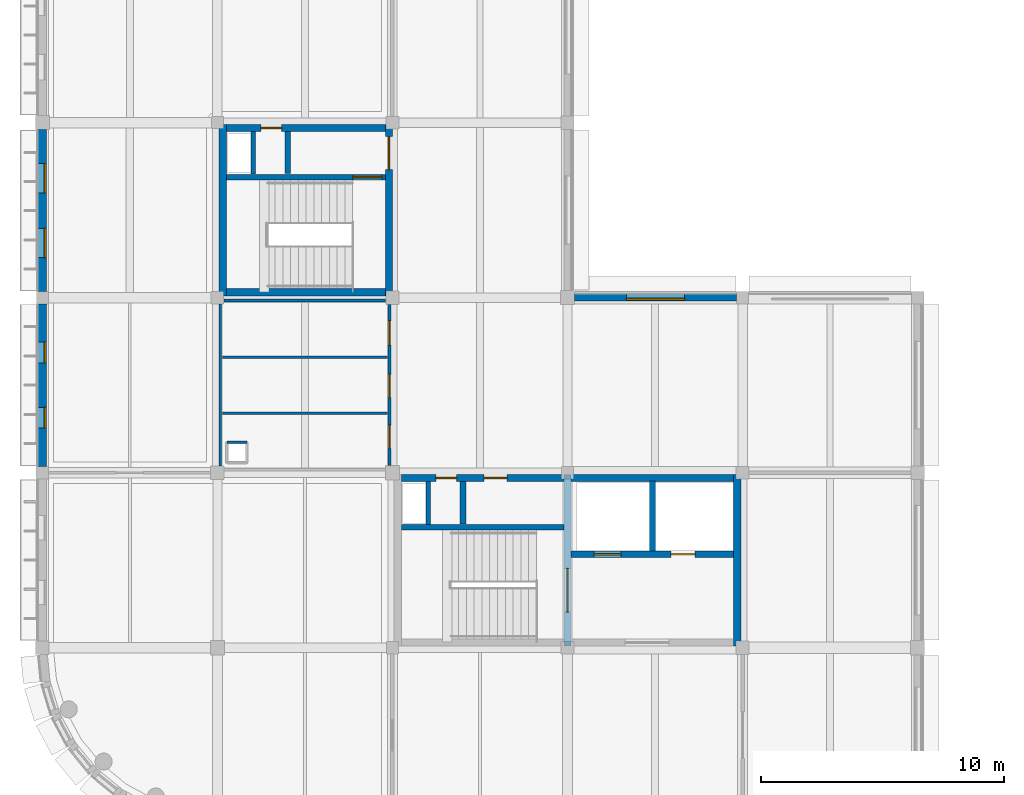
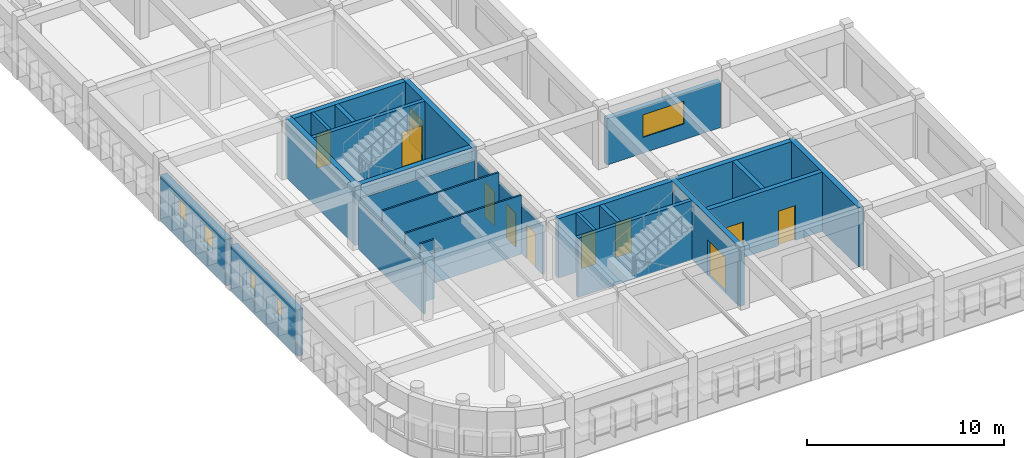
# One storey, part 13 of 19: 25 walls, 11 doors, 5 windows, 16 openings.
"""IFC4 building model written with IfcOpenShell, lengths in metres."""

from ifc_helpers import new_model, si_unit, direction, frame, frame_2d, origin, place, context, subcontext, project, spatial, rectangle, extrude, material, layer, layer_set, type_object, element, fill, save


model = new_model("IFC4")

# Units and contexts
model_context = context("Model", 3, precision=1e-05, world=origin(), true_north=direction((0.0, 1.0)))
body_context = subcontext(model_context, "Body", "Model", "MODEL_VIEW")
ifc_project = project(units=[si_unit("LENGTHUNIT", "METRE"), si_unit("AREAUNIT", "SQUARE_METRE"), si_unit("VOLUMEUNIT", "CUBIC_METRE"), si_unit("PLANEANGLEUNIT", "RADIAN"), si_unit("MASSUNIT", "GRAM", prefix="KILO")], contexts=[model_context])

# Site, building, storey
site_placement = place(None, origin())
site = spatial("IfcSite", under=ifc_project, at=site_placement, CompositionType="ELEMENT")
building_placement = place(site_placement, origin())
building = spatial("IfcBuilding", under=site, at=building_placement, Name="Thalmaran Polytechnic", CompositionType="ELEMENT")
storey_placement = place(building_placement, frame((0.0, 0.0, 26.699951171875)))
storey = spatial("IfcBuildingStorey", under=building, at=storey_placement, Name="L06", CompositionType="ELEMENT", Elevation=26.699951171875)

# Wall, openings, windows
ifc_material_1 = material(Name="Precast concrete C40/50", Category="concrete")
ifc_layer_1 = layer(ifc_material_1, 0.360107421875, Name="Precast concrete C40/50")
ifc_layer_set_1 = layer_set([ifc_layer_1], Name="Precast concrete C40/50")
wall_type_1 = type_object("IfcWallType", Name="WL-EW01", PredefinedType="STANDARD", material=ifc_layer_set_1)
wall_1_placement = place(storey_placement, frame((0.0, 14.659912109375, 0.0), z_axis=(0.0, 0.0, 1.0), x_axis=(0.0, 1.0, 0.0)))
wall_1 = element("IfcWall", 1, at=wall_1_placement, inside=storey, type_object=wall_type_1, Name="Exterior Precast Facade Wall L06-006", PredefinedType="STANDARD", context=body_context, shape_type="SweptSolid", body=[
    extrude(rectangle(XDim=6.690185546875, YDim=0.360107421875, at=frame_2d((3.34521484375, 0.0))), origin(), (0.0, 0.0, 1.0), 2.864990234375),
])
opening_1_placement = place(wall_1_placement, frame((1.58203125, 0.0, 1.14990234375)))
opening_1 = element("IfcOpeningElement", 2, at=opening_1_placement, cuts=wall_1, Name="Opening VW14", PredefinedType="OPENING", context=body_context, shape_type="SweptSolid", body=[
    extrude(rectangle(XDim=0.85009765625, YDim=1.25, at=frame_2d((0.425048828125, 0.625))), frame((0.0, 0.18994140625, 0.0), z_axis=(0.0, -1.0, 0.0), x_axis=(1.0, 0.0, 0.0)), (0.0, 0.0, 1.0), 0.380126953125),
])
opening_2_placement = place(wall_1_placement, frame((4.258056640625, 0.0, 1.14990234375)))
opening_2 = element("IfcOpeningElement", 3, at=opening_2_placement, cuts=wall_1, Name="Opening VW14", PredefinedType="OPENING", context=body_context, shape_type="SweptSolid", body=[
    extrude(rectangle(XDim=0.85009765625, YDim=1.25, at=frame_2d((0.425048828125, 0.625))), frame((0.0, 0.18994140625, 0.0), z_axis=(0.0, -1.0, 0.0), x_axis=(1.0, 0.0, 0.0)), (0.0, 0.0, 1.0), 0.380126953125),
])
ifc_material_2 = material(Name="Thermally broken aluminium and double low-E glass", Category="aluminium")
window_type_1 = type_object("IfcWindowType", Name="WN-VZ14", PartitioningType="SINGLE_PANEL", PredefinedType="WINDOW", material=ifc_material_2)
window_1_placement = place(opening_1_placement, origin())
window_1 = element("IfcWindow", 4, at=window_1_placement, inside=storey, type_object=window_type_1, Name="Deep-Set Solar-Screened Window W-0731", OverallHeight=1.25, OverallWidth=0.85009765625, PartitioningType="SINGLE_PANEL", PredefinedType="WINDOW", context=body_context, shape_type="SweptSolid", body=[
    extrude(rectangle(XDim=0.85009765625, YDim=1.25, at=frame_2d((0.425048828125, 0.625))), frame((0.0, -0.080078125, 0.0), z_axis=(0.0, -1.0, 0.0), x_axis=(1.0, 0.0, 0.0)), (0.0, 0.0, 1.0), 0.06005859375),
])
fill(opening_1, window_1)
window_2_placement = place(opening_2_placement, origin())
window_2 = element("IfcWindow", 5, at=window_2_placement, inside=storey, type_object=window_type_1, Name="Deep-Set Solar-Screened Window W-0732", OverallHeight=1.25, OverallWidth=0.85009765625, PartitioningType="SINGLE_PANEL", PredefinedType="WINDOW", context=body_context, shape_type="SweptSolid", body=[
    extrude(rectangle(XDim=0.85009765625, YDim=1.25, at=frame_2d((0.425048828125, 0.625))), frame((0.0, -0.080078125, 0.0), z_axis=(0.0, -1.0, 0.0), x_axis=(1.0, 0.0, 0.0)), (0.0, 0.0, 1.0), 0.06005859375),
])
fill(opening_2, window_2)

wall_2_placement = place(storey_placement, frame((0.0, 21.85009765625, 0.0), z_axis=(0.0, 0.0, 1.0), x_axis=(0.0, 1.0, 0.0)))
wall_2 = element("IfcWall", 6, at=wall_2_placement, inside=storey, type_object=wall_type_1, Name="Exterior Precast Facade Wall L06-007", PredefinedType="STANDARD", context=body_context, shape_type="SweptSolid", body=[
    extrude(rectangle(XDim=6.659912109375, YDim=0.360107421875, at=frame_2d((3.330078125, 0.0))), origin(), (0.0, 0.0, 1.0), 2.864990234375),
])
opening_3_placement = place(wall_2_placement, frame((1.39794921875, 0.0, 1.14990234375)))
opening_3 = element("IfcOpeningElement", 7, at=opening_3_placement, cuts=wall_2, Name="Opening PW11", PredefinedType="OPENING", context=body_context, shape_type="SweptSolid", body=[
    extrude(rectangle(XDim=1.199951171875, YDim=1.35009765625, at=frame_2d((0.60009765625, 0.675048828125))), frame((0.0, 0.18994140625, 0.0), z_axis=(0.0, -1.0, 0.0), x_axis=(1.0, 0.0, 0.0)), (0.0, 0.0, 1.0), 0.380126953125),
])
opening_4_placement = place(wall_2_placement, frame((4.06201171875, 0.0, 1.14990234375)))
opening_4 = element("IfcOpeningElement", 8, at=opening_4_placement, cuts=wall_2, Name="Opening PW11", PredefinedType="OPENING", context=body_context, shape_type="SweptSolid", body=[
    extrude(rectangle(XDim=1.199951171875, YDim=1.35009765625, at=frame_2d((0.60009765625, 0.675048828125))), frame((0.0, 0.18994140625, 0.0), z_axis=(0.0, -1.0, 0.0), x_axis=(1.0, 0.0, 0.0)), (0.0, 0.0, 1.0), 0.380126953125),
])
window_type_2 = type_object("IfcWindowType", Name="WN-PW01", PartitioningType="SINGLE_PANEL", PredefinedType="WINDOW", material=ifc_material_2)
window_3_placement = place(opening_3_placement, origin())
window_3 = element("IfcWindow", 9, at=window_3_placement, inside=storey, type_object=window_type_2, Name="Deep-Set Solar-Screened Window W-0733", OverallHeight=1.35009765625, OverallWidth=1.199951171875, PartitioningType="SINGLE_PANEL", PredefinedType="WINDOW", context=body_context, shape_type="SweptSolid", body=[
    extrude(rectangle(XDim=1.199951171875, YDim=1.35009765625, at=frame_2d((0.60009765625, 0.675048828125))), frame((0.0, -0.080078125, 0.0), z_axis=(0.0, -1.0, 0.0), x_axis=(1.0, 0.0, 0.0)), (0.0, 0.0, 1.0), 0.06005859375),
])
fill(opening_3, window_3)
window_4_placement = place(opening_4_placement, origin())
window_4 = element("IfcWindow", 10, at=window_4_placement, inside=storey, type_object=window_type_2, Name="Deep-Set Solar-Screened Window W-0734", OverallHeight=1.35009765625, OverallWidth=1.199951171875, PartitioningType="SINGLE_PANEL", PredefinedType="WINDOW", context=body_context, shape_type="SweptSolid", body=[
    extrude(rectangle(XDim=1.199951171875, YDim=1.35009765625, at=frame_2d((0.60009765625, 0.675048828125))), frame((0.0, -0.080078125, 0.0), z_axis=(0.0, -1.0, 0.0), x_axis=(1.0, 0.0, 0.0)), (0.0, 0.0, 1.0), 0.06005859375),
])
fill(opening_4, window_4)

# Wall, opening, window
ifc_layer_2 = layer(ifc_material_1, 0.2900390625, Name="Precast concrete C40/50")
ifc_layer_set_2 = layer_set([ifc_layer_2], Name="Precast concrete C40/50")
wall_type_2 = type_object("IfcWallType", Name="WL-EW04", PredefinedType="STANDARD", material=ifc_layer_set_2)
wall_3_placement = place(storey_placement, frame((21.889892578125, 21.60009765625, 0.0), z_axis=(0.0, 0.0, 1.0), x_axis=(1.0, 0.0, 0.0)))
wall_3 = element("IfcWall", 11, at=wall_3_placement, inside=storey, type_object=wall_type_2, Name="Exterior Precast Facade Wall L06-018", PredefinedType="STANDARD", context=body_context, shape_type="SweptSolid", body=[
    extrude(rectangle(XDim=6.66015625, YDim=0.2900390625, at=frame_2d((3.330078125, 0.0))), origin(), (0.0, 0.0, 1.0), 2.864990234375),
])
opening_5_placement = place(wall_3_placement, frame((2.1298828125, 0.0, 0.97998046875)))
opening_5 = element("IfcOpeningElement", 12, at=opening_5_placement, cuts=wall_3, Name="Opening RW06", PredefinedType="OPENING", context=body_context, shape_type="SweptSolid", body=[
    extrude(rectangle(XDim=2.39990234375, YDim=1.39990234375, at=frame_2d((1.199951171875, 0.699951171875))), frame((0.0, 0.155029296875, 0.0), z_axis=(0.0, -1.0, 0.0), x_axis=(1.0, 0.0, 0.0)), (0.0, 0.0, 1.0), 0.31005859375),
])
window_type_3 = type_object("IfcWindowType", Name="WN-RW06", PartitioningType="DOUBLE_PANEL_VERTICAL", PredefinedType="WINDOW", material=ifc_material_2)
window_5_placement = place(opening_5_placement, origin())
window_5 = element("IfcWindow", 13, at=window_5_placement, inside=storey, type_object=window_type_3, Name="Streamline Ribbon Window W-0747", OverallHeight=1.39990234375, OverallWidth=2.39990234375, PartitioningType="SINGLE_PANEL", PredefinedType="WINDOW", context=body_context, shape_type="SweptSolid", body=[
    extrude(rectangle(XDim=2.39990234375, YDim=1.39990234375, at=frame_2d((1.199951171875, 0.699951171875))), frame((0.0, -0.030029296875, 0.0), z_axis=(0.0, -1.0, 0.0), x_axis=(1.0, 0.0, 0.0)), (0.0, 0.0, 1.0), 0.06005859375),
])
fill(opening_5, window_5)

# Walls
ifc_material_3 = material(Name="Autoclaved aerated masonry", Category="masonry")
ifc_layer_3 = layer(ifc_material_3, 0.25, Name="Autoclaved aerated masonry")
ifc_layer_set_3 = layer_set([ifc_layer_3], Name="Autoclaved aerated masonry")
wall_type_3 = type_object("IfcWallType", Name="WL-IW01", PredefinedType="PARTITIONING", material=ifc_layer_set_3)
wall_4_placement = place(storey_placement, frame((25.10009765625, 11.179931640625, 0.0), z_axis=(0.0, 0.0, 1.0), x_axis=(0.0, 1.0, 0.0)))
element("IfcWall", 14, at=wall_4_placement, inside=storey, type_object=wall_type_3, Name="Core C1 Shaft Dividing Wall L06", PredefinedType="PARTITIONING", context=body_context, shape_type="SweptSolid", body=[
    extrude(rectangle(XDim=2.8701171875, YDim=0.25, at=frame_2d((1.43505859375, 0.0))), origin(), (0.0, 0.0, 1.0), 3.670166015625),
])
ifc_layer_4 = layer(ifc_material_3, 0.22998046875, Name="Autoclaved aerated masonry")
ifc_layer_set_4 = layer_set([ifc_layer_4], Name="Autoclaved aerated masonry")
wall_type_4 = type_object("IfcWallType", Name="WL-IW02", PredefinedType="PARTITIONING", material=ifc_layer_set_4)
for number, where, z_axis, x_axis, name in (
    (15, (17.300048828125, 12.300048828125, 0.0), (0.0, 0.0, 1.0), (0.0, 1.0, 0.0), "Core C1 Riser Partition L06"),
    (16, (10.10009765625, 26.699951171875, 0.0), (0.0, 0.0, 1.0), (0.0, 1.0, 0.0), "Core C3 Riser Partition L06"),
):
    element("IfcWall", number, at=place(storey_placement, frame(where, z_axis=z_axis, x_axis=x_axis)), inside=storey, type_object=wall_type_4, Name=name, PredefinedType="PARTITIONING", context=body_context, shape_type="SweptSolid", body=[
        extrude(rectangle(XDim=1.739990234375, YDim=0.22998046875, at=frame_2d((0.8701171875, 0.0))), origin(), (0.0, 0.0, 1.0), 3.670166015625),
    ])
ifc_layer_5 = layer(ifc_material_3, 0.179931640625, Name="Autoclaved aerated masonry")
ifc_layer_set_5 = layer_set([ifc_layer_5], Name="Autoclaved aerated masonry")
wall_type_5 = type_object("IfcWallType", Name="WL-IW04", PredefinedType="PARTITIONING", material=ifc_layer_set_5)
for number, where, z_axis, x_axis, name in (
    (17, (15.8798828125, 12.280029296875, 0.0), (0.0, 0.0, 1.0), (0.0, 1.0, 0.0), "Core C1 Riser Shaft Enclosure Wall L06"),
    (18, (8.679931640625, 26.679931640625, 0.0), (0.0, 0.0, 1.0), (0.0, 1.0, 0.0), "Core C3 Riser Shaft Enclosure Wall L06"),
):
    element("IfcWall", number, at=place(storey_placement, frame(where, z_axis=z_axis, x_axis=x_axis)), inside=storey, type_object=wall_type_5, Name=name, PredefinedType="PARTITIONING", context=body_context, shape_type="SweptSolid", body=[
        extrude(rectangle(XDim=1.760009765625, YDim=0.179931640625, at=frame_2d((0.8798828125, 0.0))), origin(), (0.0, 0.0, 1.0), 3.670166015625),
    ])
ifc_material_4 = material(Name="Gypsum acoustic partition")
ifc_layer_6 = layer(ifc_material_4, 0.114990234375, Name="Gypsum acoustic partition")
ifc_layer_set_6 = layer_set([ifc_layer_6], Name="Gypsum acoustic partition")
wall_type_6 = type_object("IfcWallType", Name="WL-IW08", PredefinedType="PARTITIONING", material=ifc_layer_set_6)
wall_5_placement = place(storey_placement, frame((7.465087890625, 21.47998046875, 0.0), z_axis=(0.0, 0.0, 1.0), x_axis=(1.0, 0.0, 0.0)))
element("IfcWall", 19, at=wall_5_placement, inside=storey, type_object=wall_type_6, Name="Sanitary Core Wall L06-W1-N", PredefinedType="PARTITIONING", context=body_context, shape_type="SweptSolid", body=[
    extrude(rectangle(XDim=6.655029296875, YDim=0.114990234375, at=frame_2d((3.32763671875, 0.0))), origin(), (0.0, 0.0, 1.0), 3.02001953125),
])
wall_6_placement = place(storey_placement, frame((7.320068359375, 14.679931640625, 0.0), z_axis=(0.0, 0.0, 1.0), x_axis=(0.0, 1.0, 0.0)))
element("IfcWall", 20, at=wall_6_placement, inside=storey, type_object=wall_type_6, Name="Sanitary Side Wall L06-W1-W", PredefinedType="PARTITIONING", context=body_context, shape_type="SweptSolid", body=[
    extrude(rectangle(XDim=6.655029296875, YDim=0.114990234375, at=frame_2d((3.32763671875, 0.0))), origin(), (0.0, 0.0, 1.0), 2.985107421875),
])

# Wall, openings, doors
wall_7_placement = place(storey_placement, frame((14.280029296875, 14.695068359375, 0.0), z_axis=(0.0, 0.0, 1.0), x_axis=(0.0, 1.0, 0.0)))
wall_7 = element("IfcWall", 21, at=wall_7_placement, inside=storey, type_object=wall_type_6, Name="Sanitary Side Wall L06-W1-E", PredefinedType="PARTITIONING", context=body_context, shape_type="SweptSolid", body=[
    extrude(rectangle(XDim=6.625, YDim=0.114990234375, at=frame_2d((3.3125, 0.0))), origin(), (0.0, 0.0, 1.0), 2.985107421875),
])
opening_6_placement = place(wall_7_placement, frame((0.705078125, 0.0, 0.0)))
opening_6 = element("IfcOpeningElement", 22, at=opening_6_placement, cuts=wall_7, Name="Opening WD-L06-W1-1", PredefinedType="OPENING", context=body_context, shape_type="SweptSolid", body=[
    extrude(rectangle(XDim=0.949951171875, YDim=2.10009765625, at=frame_2d((0.47509765625, 1.050048828125))), frame((0.0, 0.0673828125, 0.0), z_axis=(0.0, -1.0, 0.0), x_axis=(1.0, 0.0, 0.0)), (0.0, 0.0, 1.0), 0.135009765625),
])
opening_7_placement = place(wall_7_placement, frame((2.804931640625, 0.0, 0.0)))
opening_7 = element("IfcOpeningElement", 23, at=opening_7_placement, cuts=wall_7, Name="Opening WD-L06-W1-2", PredefinedType="OPENING", context=body_context, shape_type="SweptSolid", body=[
    extrude(rectangle(XDim=0.949951171875, YDim=2.10009765625, at=frame_2d((0.47509765625, 1.050048828125))), frame((0.0, 0.0673828125, 0.0), z_axis=(0.0, -1.0, 0.0), x_axis=(1.0, 0.0, 0.0)), (0.0, 0.0, 1.0), 0.135009765625),
])
opening_8_placement = place(wall_7_placement, frame((4.955078125, 0.0, 0.0)))
opening_8 = element("IfcOpeningElement", 24, at=opening_8_placement, cuts=wall_7, Name="Opening WD-L06-W1-3", PredefinedType="OPENING", context=body_context, shape_type="SweptSolid", body=[
    extrude(rectangle(XDim=1.0, YDim=2.14990234375, at=frame_2d((0.5, 1.074951171875))), frame((0.0, 0.0673828125, 0.0), z_axis=(0.0, -1.0, 0.0), x_axis=(1.0, 0.0, 0.0)), (0.0, 0.0, 1.0), 0.135009765625),
])
ifc_material_5 = material(Name="Acoustic hardwood", Category="wood")
door_type_1 = type_object("IfcDoorType", Name="DR-ID06", OperationType="NOTDEFINED", PredefinedType="DOOR", material=ifc_material_5)
door_1_placement = place(opening_8_placement, origin())
door_1 = element("IfcDoor", 25, at=door_1_placement, inside=storey, type_object=door_type_1, Name="Accessible WC Door L06-W1", OperationType="SINGLE_SWING_RIGHT", OverallHeight=2.14990234375, OverallWidth=1.0, PredefinedType="DOOR", context=body_context, shape_type="SweptSolid", body=[
    extrude(rectangle(XDim=1.0, YDim=2.14990234375, at=frame_2d((0.5, 1.074951171875))), frame((0.0, 0.02490234375, 0.0), z_axis=(0.0, -1.0, 0.0), x_axis=(1.0, 0.0, 0.0)), (0.0, 0.0, 1.0), 0.050048828125),
])
fill(opening_8, door_1)
ifc_material_6 = material(Name="Moisture-resistant laminate timber", Category="wood")
door_type_2 = type_object("IfcDoorType", Name="DR-ID07", OperationType="NOTDEFINED", PredefinedType="DOOR", material=ifc_material_6)
door_2_placement = place(opening_6_placement, origin())
door_2 = element("IfcDoor", 26, at=door_2_placement, inside=storey, type_object=door_type_2, Name="Male WC Door L06-W1", OperationType="SINGLE_SWING_RIGHT", OverallHeight=2.10009765625, OverallWidth=0.949951171875, PredefinedType="DOOR", context=body_context, shape_type="SweptSolid", body=[
    extrude(rectangle(XDim=0.949951171875, YDim=2.10009765625, at=frame_2d((0.47509765625, 1.050048828125))), frame((0.0, 0.02490234375, 0.0), z_axis=(0.0, -1.0, 0.0), x_axis=(1.0, 0.0, 0.0)), (0.0, 0.0, 1.0), 0.050048828125),
])
fill(opening_6, door_2)
door_3_placement = place(opening_7_placement, origin())
door_3 = element("IfcDoor", 27, at=door_3_placement, inside=storey, type_object=door_type_2, Name="Female WC Door L06-W1", OperationType="SINGLE_SWING_LEFT", OverallHeight=2.10009765625, OverallWidth=0.949951171875, PredefinedType="DOOR", context=body_context, shape_type="SweptSolid", body=[
    extrude(rectangle(XDim=0.949951171875, YDim=2.10009765625, at=frame_2d((0.47509765625, 1.050048828125))), frame((0.0, 0.02490234375, 0.0), z_axis=(0.0, -1.0, 0.0), x_axis=(1.0, 0.0, 0.0)), (0.0, 0.0, 1.0), 0.050048828125),
])
fill(opening_7, door_3)

# Walls
ifc_material_7 = material(Name="Moisture-resistant partition")
ifc_layer_7 = layer(ifc_material_7, 0.10009765625, Name="Moisture-resistant partition")
ifc_layer_set_7 = layer_set([ifc_layer_7], Name="Moisture-resistant partition")
wall_type_7 = type_object("IfcWallType", Name="WL-IW09", PredefinedType="PARTITIONING", material=ifc_layer_set_7)
for number, where, z_axis, x_axis, name in (
    (28, (7.39990234375, 16.85009765625, 0.0), (0.0, 0.0, 1.0), (1.0, 0.0, 0.0), "WC Partition L06-W1-1"),
    (29, (7.39990234375, 19.14990234375, 0.0), (0.0, 0.0, 1.0), (1.0, 0.0, 0.0), "WC Partition L06-W1-2"),
):
    element("IfcWall", number, at=place(storey_placement, frame(where, z_axis=z_axis, x_axis=x_axis)), inside=storey, type_object=wall_type_7, Name=name, PredefinedType="PARTITIONING", context=body_context, shape_type="SweptSolid", body=[
        extrude(rectangle(XDim=6.800048828125, YDim=0.10009765625, at=frame_2d((3.39990234375, 0.0))), origin(), (0.0, 0.0, 1.0), 3.670166015625),
    ])
wall_8_placement = place(storey_placement, frame((8.409912109375, 15.659912109375, 0.0), z_axis=(0.0, 0.0, 1.0), x_axis=(-1.0, 0.0, 0.0)))
element("IfcWall", 30, at=wall_8_placement, inside=storey, type_object=wall_type_7, Name="Plumbing Riser Chase Wall L06-W1-N", PredefinedType="PARTITIONING", context=body_context, shape_type="SweptSolid", body=[
    extrude(rectangle(XDim=0.81982421875, YDim=0.10009765625, at=frame_2d((0.409912109375, 0.0))), origin(), (0.0, 0.0, 1.0), 3.670166015625),
])

# Wall, openings, doors
ifc_material_8 = material(Name="Concrete C50/60", Category="concrete")
ifc_layer_8 = layer(ifc_material_8, 0.300048828125, Name="Concrete C50/60")
ifc_layer_set_8 = layer_set([ifc_layer_8], Name="Concrete C50/60")
wall_type_8 = type_object("IfcWallType", Name="WL-SW04", PredefinedType="SHEAR", material=ifc_layer_set_8)
wall_9_placement = place(storey_placement, frame((14.77001953125, 14.179931640625, 0.0), z_axis=(0.0, 0.0, 1.0), x_axis=(1.0, 0.0, 0.0)))
wall_9 = element("IfcWall", 31, at=wall_9_placement, inside=storey, type_object=wall_type_8, Name="Core C1 North Shear Wall L06", PredefinedType="SHEAR", context=body_context, shape_type="SweptSolid", body=[
    extrude(rectangle(XDim=6.679931640625, YDim=0.300048828125, at=frame_2d((3.33984375, 0.0))), origin(), (0.0, 0.0, 1.0), 3.670166015625),
])
opening_9_placement = place(wall_9_placement, frame((1.419921875, 0.0, 0.0)))
opening_9 = element("IfcOpeningElement", 32, at=opening_9_placement, cuts=wall_9, Name="Opening DR-C1-L06-R", PredefinedType="OPENING", context=body_context, shape_type="SweptSolid", body=[
    extrude(rectangle(XDim=0.85009765625, YDim=2.10009765625, at=frame_2d((0.425048828125, 1.050048828125))), frame((0.0, 0.159912109375, 0.0), z_axis=(0.0, -1.0, 0.0), x_axis=(1.0, 0.0, 0.0)), (0.0, 0.0, 1.0), 0.320068359375),
])
opening_10_placement = place(wall_9_placement, frame((3.39990234375, 0.0, 0.0)))
opening_10 = element("IfcOpeningElement", 33, at=opening_10_placement, cuts=wall_9, Name="Opening ED-C1-L06-E", PredefinedType="OPENING", context=body_context, shape_type="SweptSolid", body=[
    extrude(rectangle(XDim=0.949951171875, YDim=2.14990234375, at=frame_2d((0.47509765625, 1.074951171875))), frame((0.0, 0.159912109375, 0.0), z_axis=(0.0, -1.0, 0.0), x_axis=(1.0, 0.0, 0.0)), (0.0, 0.0, 1.0), 0.320068359375),
])
ifc_material_9 = material(Name="Powder-coated fire-rated steel", Category="steel")
door_type_3 = type_object("IfcDoorType", Name="DR-FD08", OperationType="NOTDEFINED", PredefinedType="DOOR", material=ifc_material_9)
door_4_placement = place(opening_10_placement, origin())
door_4 = element("IfcDoor", 34, at=door_4_placement, inside=storey, type_object=door_type_3, Name="Electrical Riser Door C1 L06", OperationType="SINGLE_SWING_RIGHT", OverallHeight=2.14990234375, OverallWidth=0.949951171875, PredefinedType="DOOR", context=body_context, shape_type="SweptSolid", body=[
    extrude(rectangle(XDim=0.949951171875, YDim=2.14990234375, at=frame_2d((0.47509765625, 1.074951171875))), frame((0.0, 0.02490234375, 0.0), z_axis=(0.0, -1.0, 0.0), x_axis=(1.0, 0.0, 0.0)), (0.0, 0.0, 1.0), 0.050048828125),
])
fill(opening_10, door_4)
door_type_4 = type_object("IfcDoorType", Name="DR-FD09", OperationType="NOTDEFINED", PredefinedType="DOOR", material=ifc_material_9)
door_5_placement = place(opening_9_placement, origin())
door_5 = element("IfcDoor", 35, at=door_5_placement, inside=storey, type_object=door_type_4, Name="Riser Access Fire Door C1 L06", OperationType="SINGLE_SWING_RIGHT", OverallHeight=2.10009765625, OverallWidth=0.85009765625, PredefinedType="DOOR", context=body_context, shape_type="SweptSolid", body=[
    extrude(rectangle(XDim=0.85009765625, YDim=2.10009765625, at=frame_2d((0.425048828125, 1.050048828125))), frame((0.0, 0.02490234375, 0.0), z_axis=(0.0, -1.0, 0.0), x_axis=(1.0, 0.0, 0.0)), (0.0, 0.0, 1.0), 0.050048828125),
])
fill(opening_9, door_5)

# Wall
wall_10_placement = place(storey_placement, frame((14.77001953125, 12.159912109375, 0.0), z_axis=(0.0, 0.0, 1.0), x_axis=(1.0, 0.0, 0.0)))
element("IfcWall", 36, at=wall_10_placement, inside=storey, type_object=wall_type_8, Name="Core C1 Stair Partition L06", PredefinedType="SHEAR", context=body_context, shape_type="SweptSolid", body=[
    extrude(rectangle(XDim=6.679931640625, YDim=0.219970703125, at=frame_2d((3.33984375, 0.0))), origin(), (0.0, 0.0, 1.0), 3.670166015625),
])

# Wall, opening, door
wall_11_placement = place(storey_placement, frame((21.60009765625, 7.27001953125, 0.0), z_axis=(0.0, 0.0, 1.0), x_axis=(0.0, 1.0, 0.0)))
wall_11 = element("IfcWall", 37, at=wall_11_placement, inside=storey, type_object=wall_type_8, Name="Core C1 Stair-Lobby Dividing Shear Wall L06", PredefinedType="SHEAR", context=body_context, shape_type="SweptSolid", body=[
    extrude(rectangle(XDim=7.06005859375, YDim=0.300048828125, at=frame_2d((3.530029296875, 0.0))), origin(), (0.0, 0.0, 1.0), 3.670166015625),
])
opening_11_placement = place(wall_11_placement, frame((1.39990234375, 0.0, 0.0)))
opening_11 = element("IfcOpeningElement", 38, at=opening_11_placement, cuts=wall_11, Name="Opening SD-ST1-L06", PredefinedType="OPENING", context=body_context, shape_type="SweptSolid", body=[
    extrude(rectangle(XDim=1.800048828125, YDim=2.199951171875, at=frame_2d((0.89990234375, 1.10009765625))), frame((0.0, 0.159912109375, 0.0), z_axis=(0.0, -1.0, 0.0), x_axis=(1.0, 0.0, 0.0)), (0.0, 0.0, 1.0), 0.320068359375),
])
door_type_5 = type_object("IfcDoorType", Name="DR-FD03", OperationType="NOTDEFINED", PredefinedType="DOOR", material=ifc_material_9)
door_6_placement = place(opening_11_placement, origin())
door_6 = element("IfcDoor", 39, at=door_6_placement, inside=storey, type_object=door_type_5, Name="Firefighting Lobby to Exit Stair Door ST1 L06", OperationType="SINGLE_SWING_LEFT", OverallHeight=2.199951171875, OverallWidth=1.800048828125, PredefinedType="DOOR", context=body_context, shape_type="SweptSolid", body=[
    extrude(rectangle(XDim=1.800048828125, YDim=2.199951171875, at=frame_2d((0.89990234375, 1.10009765625))), frame((0.0, 0.02490234375, 0.0), z_axis=(0.0, -1.0, 0.0), x_axis=(1.0, 0.0, 0.0)), (0.0, 0.0, 1.0), 0.050048828125),
])
fill(opening_11, door_6)

# Walls
wall_12_placement = place(storey_placement, frame((28.580078125, 7.27001953125, 0.0), z_axis=(0.0, 0.0, 1.0), x_axis=(0.0, 1.0, 0.0)))
element("IfcWall", 40, at=wall_12_placement, inside=storey, type_object=wall_type_8, Name="Core C1 Lobby East Shear Wall L06", PredefinedType="SHEAR", context=body_context, shape_type="SweptSolid", body=[
    extrude(rectangle(XDim=7.06005859375, YDim=0.300048828125, at=frame_2d((3.530029296875, 0.0))), origin(), (0.0, 0.0, 1.0), 3.670166015625),
])
wall_13_placement = place(storey_placement, frame((21.75, 14.179931640625, 0.0), z_axis=(0.0, 0.0, 1.0), x_axis=(1.0, 0.0, 0.0)))
element("IfcWall", 41, at=wall_13_placement, inside=storey, type_object=wall_type_8, Name="Core C1 Lift Shaft Back Shear Wall L06", PredefinedType="SHEAR", context=body_context, shape_type="SweptSolid", body=[
    extrude(rectangle(XDim=6.679931640625, YDim=0.300048828125, at=frame_2d((3.33984375, 0.0))), origin(), (0.0, 0.0, 1.0), 3.670166015625),
])

# Wall, openings, doors
wall_14_placement = place(storey_placement, frame((21.75, 11.050048828125, 0.0), z_axis=(0.0, 0.0, 1.0), x_axis=(1.0, 0.0, 0.0)))
wall_14 = element("IfcWall", 42, at=wall_14_placement, inside=storey, type_object=wall_type_8, Name="Core C1 Lift Landing Front Wall L06", PredefinedType="SHEAR", context=body_context, shape_type="SweptSolid", body=[
    extrude(rectangle(XDim=6.679931640625, YDim=0.260009765625, at=frame_2d((3.33984375, 0.0))), origin(), (0.0, 0.0, 1.0), 3.670166015625),
])
opening_12_placement = place(wall_14_placement, frame((0.949951171875, 0.0, 0.0)))
opening_12 = element("IfcOpeningElement", 43, at=opening_12_placement, cuts=wall_14, Name="Opening LD-FL-01-L06", PredefinedType="OPENING", context=body_context, shape_type="SweptSolid", body=[
    extrude(rectangle(XDim=1.10009765625, YDim=2.199951171875, at=frame_2d((0.550048828125, 1.10009765625))), frame((0.0, 0.139892578125, 0.0), z_axis=(0.0, -1.0, 0.0), x_axis=(1.0, 0.0, 0.0)), (0.0, 0.0, 1.0), 0.280029296875),
])
opening_13_placement = place(wall_14_placement, frame((4.10009765625, 0.0, 0.0)))
opening_13 = element("IfcOpeningElement", 44, at=opening_13_placement, cuts=wall_14, Name="Opening LD-PL-01-L06", PredefinedType="OPENING", context=body_context, shape_type="SweptSolid", body=[
    extrude(rectangle(XDim=1.0, YDim=2.14990234375, at=frame_2d((0.5, 1.074951171875))), frame((0.0, 0.139892578125, 0.0), z_axis=(0.0, -1.0, 0.0), x_axis=(1.0, 0.0, 0.0)), (0.0, 0.0, 1.0), 0.280029296875),
])
ifc_material_10 = material(Name="Brushed stainless steel lift door", Category="steel")
door_type_6 = type_object("IfcDoorType", Name="DR-LD01", OperationType="NOTDEFINED", PredefinedType="DOOR", material=ifc_material_10)
door_7_placement = place(opening_12_placement, origin())
door_7 = element("IfcDoor", 45, at=door_7_placement, inside=storey, type_object=door_type_6, Name="Lift Landing Door FL-01 L06", OperationType="SLIDING_TO_LEFT", OverallHeight=2.199951171875, OverallWidth=1.10009765625, PredefinedType="DOOR", context=body_context, shape_type="SweptSolid", body=[
    extrude(rectangle(XDim=1.10009765625, YDim=2.199951171875, at=frame_2d((0.550048828125, 1.10009765625))), frame((0.0, 0.02490234375, 0.0), z_axis=(0.0, -1.0, 0.0), x_axis=(1.0, 0.0, 0.0)), (0.0, 0.0, 1.0), 0.050048828125),
])
fill(opening_12, door_7)
door_type_7 = type_object("IfcDoorType", Name="DR-LD02", OperationType="NOTDEFINED", PredefinedType="DOOR", material=ifc_material_10)
door_8_placement = place(opening_13_placement, origin())
door_8 = element("IfcDoor", 46, at=door_8_placement, inside=storey, type_object=door_type_7, Name="Lift Landing Door PL-01 L06", OperationType="SLIDING_TO_RIGHT", OverallHeight=2.14990234375, OverallWidth=1.0, PredefinedType="DOOR", context=body_context, shape_type="SweptSolid", body=[
    extrude(rectangle(XDim=1.0, YDim=2.14990234375, at=frame_2d((0.5, 1.074951171875))), frame((0.0, 0.02490234375, 0.0), z_axis=(0.0, -1.0, 0.0), x_axis=(1.0, 0.0, 0.0)), (0.0, 0.0, 1.0), 0.050048828125),
])
fill(opening_13, door_8)

# Walls
wall_15_placement = place(storey_placement, frame((7.570068359375, 21.820068359375, 0.0), z_axis=(0.0, 0.0, 1.0), x_axis=(1.0, 0.0, 0.0)))
element("IfcWall", 47, at=wall_15_placement, inside=storey, type_object=wall_type_8, Name="Core C3 South Shear Wall L06", PredefinedType="SHEAR", context=body_context, shape_type="SweptSolid", body=[
    extrude(rectangle(XDim=6.5400390625, YDim=0.300048828125, at=frame_2d((3.27001953125, 0.0))), origin(), (0.0, 0.0, 1.0), 3.670166015625),
])
wall_16_placement = place(storey_placement, frame((7.419921875, 28.72998046875, 0.0), z_axis=(0.0, 0.0, 1.0), x_axis=(0.0, -1.0, 0.0)))
element("IfcWall", 48, at=wall_16_placement, inside=storey, type_object=wall_type_8, Name="Core C3 West Shear Wall L06", PredefinedType="SHEAR", context=body_context, shape_type="SweptSolid", body=[
    extrude(rectangle(XDim=7.06005859375, YDim=0.300048828125, at=frame_2d((3.530029296875, 0.0))), origin(), (0.0, 0.0, 1.0), 3.670166015625),
])

# Wall, opening, door
wall_17_placement = place(storey_placement, frame((7.570068359375, 28.580078125, 0.0), z_axis=(0.0, 0.0, 1.0), x_axis=(1.0, 0.0, 0.0)))
wall_17 = element("IfcWall", 49, at=wall_17_placement, inside=storey, type_object=wall_type_8, Name="Core C3 North Shear Wall L06", PredefinedType="SHEAR", context=body_context, shape_type="SweptSolid", body=[
    extrude(rectangle(XDim=6.5400390625, YDim=0.300048828125, at=frame_2d((3.27001953125, 0.0))), origin(), (0.0, 0.0, 1.0), 3.670166015625),
])
opening_14_placement = place(wall_17_placement, frame((1.419921875, 0.0, 0.0)))
opening_14 = element("IfcOpeningElement", 50, at=opening_14_placement, cuts=wall_17, Name="Opening DR-C3-L06-R", PredefinedType="OPENING", context=body_context, shape_type="SweptSolid", body=[
    extrude(rectangle(XDim=0.85009765625, YDim=2.10009765625, at=frame_2d((0.425048828125, 1.050048828125))), frame((0.0, 0.159912109375, 0.0), z_axis=(0.0, -1.0, 0.0), x_axis=(1.0, 0.0, 0.0)), (0.0, 0.0, 1.0), 0.320068359375),
])
door_9_placement = place(opening_14_placement, origin())
door_9 = element("IfcDoor", 51, at=door_9_placement, inside=storey, type_object=door_type_4, Name="Riser Access Fire Door C3 L06", OperationType="SINGLE_SWING_RIGHT", OverallHeight=2.10009765625, OverallWidth=0.85009765625, PredefinedType="DOOR", context=body_context, shape_type="SweptSolid", body=[
    extrude(rectangle(XDim=0.85009765625, YDim=2.10009765625, at=frame_2d((0.425048828125, 1.050048828125))), frame((0.0, 0.02490234375, 0.0), z_axis=(0.0, -1.0, 0.0), x_axis=(1.0, 0.0, 0.0)), (0.0, 0.0, 1.0), 0.050048828125),
])
fill(opening_14, door_9)

wall_18_placement = place(storey_placement, frame((7.570068359375, 26.56005859375, 0.0), z_axis=(0.0, 0.0, 1.0), x_axis=(1.0, 0.0, 0.0)))
wall_18 = element("IfcWall", 52, at=wall_18_placement, inside=storey, type_object=wall_type_8, Name="Core C3 Stair Partition L06", PredefinedType="SHEAR", context=body_context, shape_type="SweptSolid", body=[
    extrude(rectangle(XDim=6.5400390625, YDim=0.219970703125, at=frame_2d((3.27001953125, 0.0))), origin(), (0.0, 0.0, 1.0), 3.670166015625),
])
opening_15_placement = place(wall_18_placement, frame((5.199951171875, 0.0, 0.0)))
opening_15 = element("IfcOpeningElement", 53, at=opening_15_placement, cuts=wall_18, Name="Opening SD-ST3-L06", PredefinedType="OPENING", context=body_context, shape_type="SweptSolid", body=[
    extrude(rectangle(XDim=1.199951171875, YDim=2.199951171875, at=frame_2d((0.60009765625, 1.10009765625))), frame((0.0, 0.119873046875, 0.0), z_axis=(0.0, -1.0, 0.0), x_axis=(1.0, 0.0, 0.0)), (0.0, 0.0, 1.0), 0.239990234375),
])
door_type_8 = type_object("IfcDoorType", Name="DR-FD04", OperationType="NOTDEFINED", PredefinedType="DOOR", material=ifc_material_9)
door_10_placement = place(opening_15_placement, origin())
door_10 = element("IfcDoor", 54, at=door_10_placement, inside=storey, type_object=door_type_8, Name="Exit Stair Fire Door ST3 L06", OperationType="DOUBLE_DOOR_SINGLE_SWING", OverallHeight=2.199951171875, OverallWidth=1.199951171875, PredefinedType="DOOR", context=body_context, shape_type="SweptSolid", body=[
    extrude(rectangle(XDim=1.199951171875, YDim=2.199951171875, at=frame_2d((0.60009765625, 1.10009765625))), frame((0.0, 0.02490234375, 0.0), z_axis=(0.0, -1.0, 0.0), x_axis=(1.0, 0.0, 0.0)), (0.0, 0.0, 1.0), 0.050048828125),
])
fill(opening_15, door_10)

wall_19_placement = place(storey_placement, frame((14.260009765625, 21.669921875, 0.0), z_axis=(0.0, 0.0, 1.0), x_axis=(0.0, 1.0, 0.0)))
wall_19 = element("IfcWall", 55, at=wall_19_placement, inside=storey, type_object=wall_type_8, Name="Core C3 East Shear Wall L06", PredefinedType="SHEAR", context=body_context, shape_type="SweptSolid", body=[
    extrude(rectangle(XDim=7.06005859375, YDim=0.300048828125, at=frame_2d((3.530029296875, 0.0))), origin(), (0.0, 0.0, 1.0), 3.670166015625),
])
opening_16_placement = place(wall_19_placement, frame((5.199951171875, 0.0, 0.0)))
opening_16 = element("IfcOpeningElement", 56, at=opening_16_placement, cuts=wall_19, Name="Opening LD-C3-L06", PredefinedType="OPENING", context=body_context, shape_type="SweptSolid", body=[
    extrude(rectangle(XDim=1.35009765625, YDim=2.14990234375, at=frame_2d((0.675048828125, 1.074951171875))), frame((0.0, 0.159912109375, 0.0), z_axis=(0.0, -1.0, 0.0), x_axis=(1.0, 0.0, 0.0)), (0.0, 0.0, 1.0), 0.320068359375),
])
door_type_9 = type_object("IfcDoorType", Name="DR-FD06", OperationType="NOTDEFINED", PredefinedType="DOOR", material=ifc_material_9)
door_11_placement = place(opening_16_placement, origin())
door_11 = element("IfcDoor", 57, at=door_11_placement, inside=storey, type_object=door_type_9, Name="Stair Lobby Fire Door C3 L06", OperationType="SINGLE_SWING_LEFT", OverallHeight=2.14990234375, OverallWidth=1.35009765625, PredefinedType="DOOR", context=body_context, shape_type="SweptSolid", body=[
    extrude(rectangle(XDim=1.35009765625, YDim=2.14990234375, at=frame_2d((0.675048828125, 1.074951171875))), frame((0.0, 0.02490234375, 0.0), z_axis=(0.0, -1.0, 0.0), x_axis=(1.0, 0.0, 0.0)), (0.0, 0.0, 1.0), 0.050048828125),
])
fill(opening_16, door_11)

save(model, "model.ifc")
